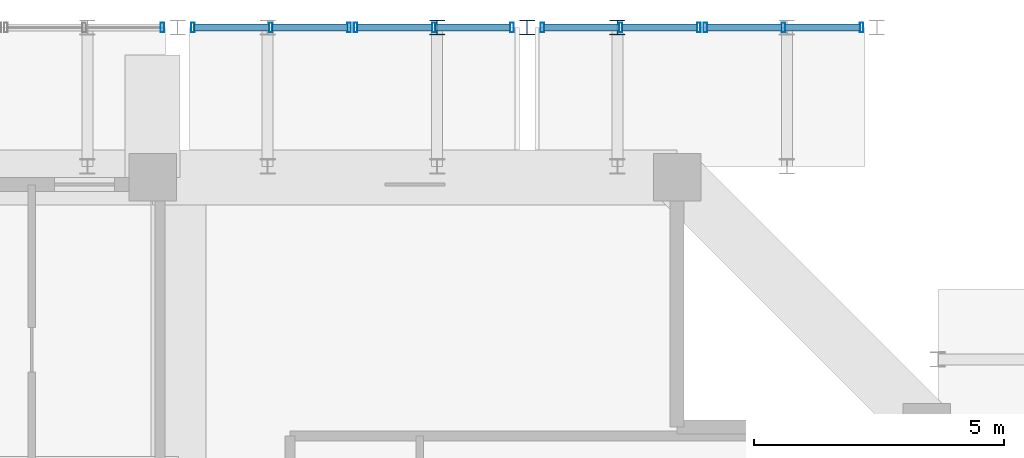
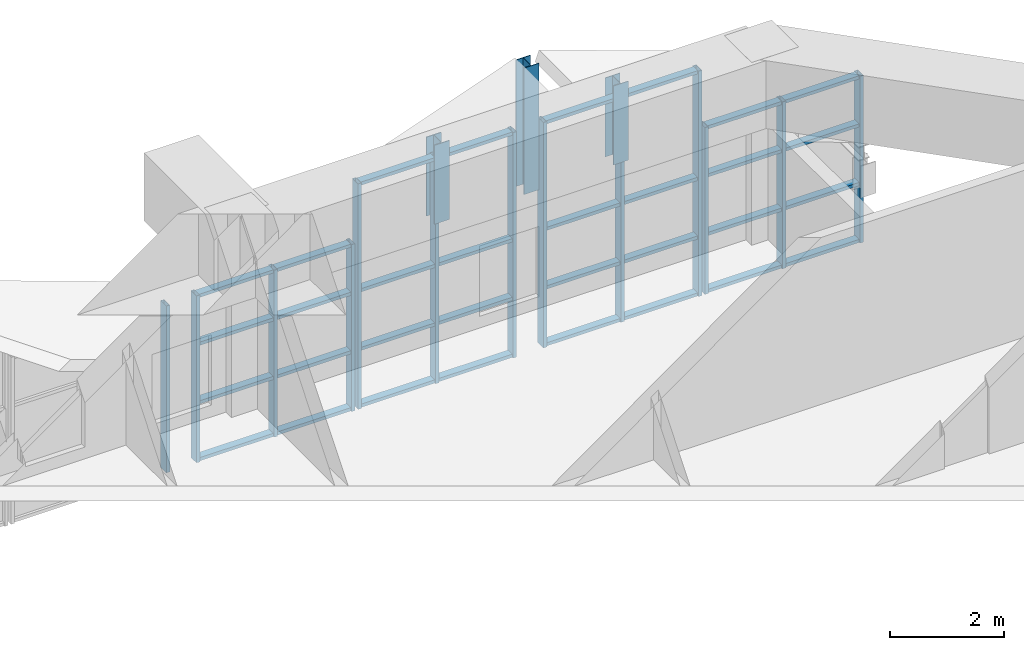
# One storey, part 27 of 45: 48 members, 5 elements without a shape of their own.
"""IFC4 building model written with IfcOpenShell, lengths in metres."""

from ifc_helpers import new_model, si_unit, direction, frame, origin, origin_2d, place, context, subcontext, project, spatial, hollow_rectangle, i_section, extrude, source, transform, mapped, material, layer, layer_set, material_profile, profile_set, type_object, element, aggregate, save


model = new_model("IFC4")

# Units and contexts
model_context = context("Model", 3, precision=1e-05, world=origin(), true_north=direction((0.0, 1.0)))
body_context = subcontext(model_context, "Body", "Model", "MODEL_VIEW")
ifc_project = project(units=[si_unit("LENGTHUNIT", "METRE"), si_unit("AREAUNIT", "SQUARE_METRE"), si_unit("VOLUMEUNIT", "CUBIC_METRE"), si_unit("PLANEANGLEUNIT", "RADIAN"), si_unit("MASSUNIT", "GRAM", prefix="KILO")], contexts=[model_context])

# Site, building, storey
site_placement = place(None, origin())
site = spatial("IfcSite", under=ifc_project, at=site_placement, CompositionType="ELEMENT")
building_placement = place(site_placement, origin())
building = spatial("IfcBuilding", under=site, at=building_placement, Name="Saelheon Loggia Tower", CompositionType="ELEMENT")
storey_placement = place(building_placement, frame((0.0, 0.0, 152.199951171875)))
storey = spatial("IfcBuildingStorey", under=building, at=storey_placement, Name="L48", CompositionType="ELEMENT", Elevation=152.199951171875)

# Members
ifc_material_1 = material(Name="Steel SM355", Category="steel")
ifc_material_profile_1 = material_profile(ifc_material_1, i_section(OverallWidth=0.300048828125, OverallDepth=0.300048828125, WebThickness=0.010009765625, FlangeThickness=0.014892578125, at=origin_2d()), Name="H-300x300x10x15")
ifc_profile_set_1 = profile_set([ifc_material_profile_1], Name="Steel SM355")
member_type_1 = type_object("IfcMemberType", Name="WaveCrest_Post_H300", PredefinedType="POST", material=ifc_profile_set_1)
shared_shape_1 = source(origin(), body_context, "Body", "SweptSolid", [
    extrude(i_section(OverallWidth=0.300048828125, OverallDepth=0.300048828125, WebThickness=0.010009765625, FlangeThickness=0.014892578125, at=origin_2d()), origin(), (0.0, 0.0, 1.0), 2.699951171875),
])
member_1_placement = place(storey_placement, frame((52.0, 51.0, 0.0), z_axis=(0.0, 0.0, 1.0), x_axis=(1.0, 0.0, 0.0)))
element("IfcMember", 1, at=member_1_placement, inside=storey, type_object=member_type_1, Name="Tier 1 Wave Crest Upper Post N 05", PredefinedType="POST", context=body_context, shape_type="MappedRepresentation", body=[
    mapped(shared_shape_1, transform((0.0, 0.0, 0.0), scale=1.0)),
])
shared_shape_2 = source(origin(), body_context, "Body", "SweptSolid", [
    extrude(i_section(OverallWidth=0.300048828125, OverallDepth=0.300048828125, WebThickness=0.010009765625, FlangeThickness=0.014892578125, at=origin_2d()), origin(), (0.0, 0.0, 1.0), 1.68701171875),
])
for number, where, z_axis, x_axis, name in (
    (2, (50.1953125, 51.0, 0.0), (0.0, 0.0, 1.0), (1.0, 0.0, 0.0), "Tier 1 Rafter Outer Upper Post N 05"),
    (3, (53.8046875, 51.0, 0.0), (0.0, 0.0, 1.0), (1.0, 0.0, 0.0), "Tier 1 Rafter Outer Upper Post N 06"),
):
    element("IfcMember", number, at=place(storey_placement, frame(where, z_axis=z_axis, x_axis=x_axis)), inside=storey, type_object=member_type_1, Name=name, PredefinedType="POST", context=body_context, shape_type="MappedRepresentation", body=[
        mapped(shared_shape_2, transform((0.0, 0.0, 0.0), scale=1.0)),
    ])

# Curtain wall, member
ifc_material_2 = material(Name="Bronze-Anodised Aluminium and Fritted Ceramic Screen", Category="aluminium")
ifc_layer = layer(ifc_material_2, 0.219970703125)
ifc_layer_set = layer_set([ifc_layer], Name="Bronze-Anodised Aluminium and Fritted Ceramic Screen")
curtain_wall_type = type_object("IfcCurtainWallType", Name="CW_CrownScreen", PredefinedType="NOTDEFINED", material=ifc_layer_set)
curtain_wall_1_placement = place(storey_placement, origin())
curtain_wall_1 = element("IfcCurtainWall", 4, at=curtain_wall_1_placement, inside=storey, type_object=curtain_wall_type, Name="Tier 1 Wave Crest Glazing N 04-2", PredefinedType="NOTDEFINED")
ifc_material_3 = material(Name="Bronze-Anodised Aluminium 6063-T6", Category="aluminium")
ifc_material_profile_2 = material_profile(ifc_material_3, hollow_rectangle(XDim=0.070068359375, YDim=0.199951171875, WallThickness=0.0048828125, at=origin_2d()), Name="RHS-200x70x5")
ifc_profile_set_2 = profile_set([ifc_material_profile_2], Name="Bronze-Anodised Aluminium 6063-T6")
member_type_2 = type_object("IfcMemberType", Name="CW_CrownScreen_Mullion", PredefinedType="MULLION", material=ifc_profile_set_2)
shared_shape_3 = source(origin(), body_context, "Body", "SweptSolid", [
    extrude(hollow_rectangle(XDim=0.070068359375, YDim=0.199951171875, WallThickness=0.0048828125, at=origin_2d()), origin(), (0.0, 0.0, 1.0), 3.56005859375),
])
member_2_placement = place(storey_placement, frame((44.695068359375, 51.0, -3.449951171875), z_axis=(0.0, 0.0, 1.0), x_axis=(1.0, 0.0, 0.0)))
member_2 = element("IfcMember", 5, at=member_2_placement, type_object=member_type_2, Name="CW6 mullion 3", PredefinedType="MULLION", context=body_context, shape_type="MappedRepresentation", body=[
    mapped(shared_shape_3, transform((0.0, 0.0, 0.0), scale=1.0)),
])
aggregate(curtain_wall_1, [member_2])

# Curtain wall, members
curtain_wall_2_placement = place(storey_placement, origin())
curtain_wall_2 = element("IfcCurtainWall", 6, at=curtain_wall_2_placement, inside=storey, type_object=curtain_wall_type, Name="Tier 1 Wave Crest Glazing N 05-1", PredefinedType="NOTDEFINED")
member_3_placement = place(storey_placement, frame((45.304931640625, 51.0, -3.449951171875), z_axis=(0.0, 0.0, 1.0), x_axis=(1.0, 0.0, 0.0)))
member_3 = element("IfcMember", 7, at=member_3_placement, type_object=member_type_2, Name="CW6 mullion 1", PredefinedType="MULLION", context=body_context, shape_type="MappedRepresentation", body=[
    mapped(shared_shape_3, transform((0.0, 0.0, 0.0), scale=1.0)),
])
member_4_placement = place(storey_placement, frame((46.8701171875, 51.0, -3.449951171875), z_axis=(0.0, 0.0, 1.0), x_axis=(1.0, 0.0, 0.0)))
member_4 = element("IfcMember", 8, at=member_4_placement, type_object=member_type_2, Name="CW6 mullion 2", PredefinedType="MULLION", context=body_context, shape_type="MappedRepresentation", body=[
    mapped(shared_shape_3, transform((0.0, 0.0, 0.0), scale=1.0)),
])
member_5_placement = place(storey_placement, frame((48.43505859375, 51.0, -3.449951171875), z_axis=(0.0, 0.0, 1.0), x_axis=(1.0, 0.0, 0.0)))
member_5 = element("IfcMember", 9, at=member_5_placement, type_object=member_type_2, Name="CW6 mullion 3", PredefinedType="MULLION", context=body_context, shape_type="MappedRepresentation", body=[
    mapped(shared_shape_3, transform((0.0, 0.0, 0.0), scale=1.0)),
])

curtain_wall_3_placement = place(storey_placement, origin())
curtain_wall_3 = element("IfcCurtainWall", 10, at=curtain_wall_3_placement, inside=storey, type_object=curtain_wall_type, Name="Tier 1 Wave Crest Glazing N 06-2", PredefinedType="NOTDEFINED")
member_6_placement = place(storey_placement, frame((55.56494140625, 51.0, -3.449951171875), z_axis=(0.0, 0.0, 1.0), x_axis=(1.0, 0.0, 0.0)))
member_6 = element("IfcMember", 11, at=member_6_placement, type_object=member_type_2, Name="CW6 mullion 1", PredefinedType="MULLION", context=body_context, shape_type="MappedRepresentation", body=[
    mapped(shared_shape_3, transform((0.0, 0.0, 0.0), scale=1.0)),
])
member_7_placement = place(storey_placement, frame((57.1298828125, 51.0, -3.449951171875), z_axis=(0.0, 0.0, 1.0), x_axis=(1.0, 0.0, 0.0)))
member_7 = element("IfcMember", 12, at=member_7_placement, type_object=member_type_2, Name="CW6 mullion 2", PredefinedType="MULLION", context=body_context, shape_type="MappedRepresentation", body=[
    mapped(shared_shape_3, transform((0.0, 0.0, 0.0), scale=1.0)),
])
member_8_placement = place(storey_placement, frame((58.695068359375, 51.0, -3.449951171875), z_axis=(0.0, 0.0, 1.0), x_axis=(1.0, 0.0, 0.0)))
member_8 = element("IfcMember", 13, at=member_8_placement, type_object=member_type_2, Name="CW6 mullion 3", PredefinedType="MULLION", context=body_context, shape_type="MappedRepresentation", body=[
    mapped(shared_shape_3, transform((0.0, 0.0, 0.0), scale=1.0)),
])

curtain_wall_4_placement = place(storey_placement, origin())
curtain_wall_4 = element("IfcCurtainWall", 14, at=curtain_wall_4_placement, inside=storey, type_object=curtain_wall_type, Name="Tier 1 Wave Crest Glazing N 05-2", PredefinedType="NOTDEFINED")
shared_shape_4 = source(origin(), body_context, "Body", "SweptSolid", [
    extrude(hollow_rectangle(XDim=0.070068359375, YDim=0.199951171875, WallThickness=0.0048828125, at=origin_2d()), origin(), (0.0, 0.0, 1.0), 4.81005859375),
])
member_9_placement = place(storey_placement, frame((48.56494140625, 51.0, -3.449951171875), z_axis=(0.0, 0.0, 1.0), x_axis=(1.0, 0.0, 0.0)))
member_9 = element("IfcMember", 15, at=member_9_placement, type_object=member_type_2, Name="CW6 mullion 1", PredefinedType="MULLION", context=body_context, shape_type="MappedRepresentation", body=[
    mapped(shared_shape_4, transform((0.0, 0.0, 0.0), scale=1.0)),
])
member_10_placement = place(storey_placement, frame((50.1298828125, 51.0, -3.449951171875), z_axis=(0.0, 0.0, 1.0), x_axis=(1.0, 0.0, 0.0)))
member_10 = element("IfcMember", 16, at=member_10_placement, type_object=member_type_2, Name="CW6 mullion 2", PredefinedType="MULLION", context=body_context, shape_type="MappedRepresentation", body=[
    mapped(shared_shape_4, transform((0.0, 0.0, 0.0), scale=1.0)),
])
member_11_placement = place(storey_placement, frame((51.695068359375, 51.0, -3.449951171875), z_axis=(0.0, 0.0, 1.0), x_axis=(1.0, 0.0, 0.0)))
member_11 = element("IfcMember", 17, at=member_11_placement, type_object=member_type_2, Name="CW6 mullion 3", PredefinedType="MULLION", context=body_context, shape_type="MappedRepresentation", body=[
    mapped(shared_shape_4, transform((0.0, 0.0, 0.0), scale=1.0)),
])

curtain_wall_5_placement = place(storey_placement, origin())
curtain_wall_5 = element("IfcCurtainWall", 18, at=curtain_wall_5_placement, inside=storey, type_object=curtain_wall_type, Name="Tier 1 Wave Crest Glazing N 06-1", PredefinedType="NOTDEFINED")
member_12_placement = place(storey_placement, frame((52.304931640625, 51.0, -3.449951171875), z_axis=(0.0, 0.0, 1.0), x_axis=(1.0, 0.0, 0.0)))
member_12 = element("IfcMember", 19, at=member_12_placement, type_object=member_type_2, Name="CW6 mullion 1", PredefinedType="MULLION", context=body_context, shape_type="MappedRepresentation", body=[
    mapped(shared_shape_4, transform((0.0, 0.0, 0.0), scale=1.0)),
])
member_13_placement = place(storey_placement, frame((53.8701171875, 51.0, -3.449951171875), z_axis=(0.0, 0.0, 1.0), x_axis=(1.0, 0.0, 0.0)))
member_13 = element("IfcMember", 20, at=member_13_placement, type_object=member_type_2, Name="CW6 mullion 2", PredefinedType="MULLION", context=body_context, shape_type="MappedRepresentation", body=[
    mapped(shared_shape_4, transform((0.0, 0.0, 0.0), scale=1.0)),
])
member_14_placement = place(storey_placement, frame((55.43505859375, 51.0, -3.449951171875), z_axis=(0.0, 0.0, 1.0), x_axis=(1.0, 0.0, 0.0)))
member_14 = element("IfcMember", 21, at=member_14_placement, type_object=member_type_2, Name="CW6 mullion 3", PredefinedType="MULLION", context=body_context, shape_type="MappedRepresentation", body=[
    mapped(shared_shape_4, transform((0.0, 0.0, 0.0), scale=1.0)),
])

# Member
ifc_material_profile_3 = material_profile(ifc_material_3, hollow_rectangle(XDim=0.070068359375, YDim=0.14990234375, WallThickness=0.0048828125, at=origin_2d()), Name="RHS-150x70x5")
ifc_profile_set_3 = profile_set([ifc_material_profile_3], Name="Bronze-Anodised Aluminium 6063-T6")
member_type_3 = type_object("IfcMemberType", Name="CW_CrownScreen_Transom", PredefinedType="USERDEFINED", material=ifc_profile_set_3)
shared_shape_5 = source(origin(), body_context, "Body", "SweptSolid", [
    extrude(hollow_rectangle(XDim=0.070068359375, YDim=0.14990234375, WallThickness=0.0048828125, at=origin_2d()), origin(), (0.0, 0.0, 1.0), 1.494873046875),
])
member_15_placement = place(storey_placement, frame((45.340087890625, 51.0, -3.4150390625), z_axis=(1.0, 0.0, 0.0), x_axis=(0.0, 0.0, 1.0)))
member_15 = element("IfcMember", 22, at=member_15_placement, type_object=member_type_3, Name="CW6 transom 1.1", ObjectType="TRANSOM", PredefinedType="USERDEFINED", context=body_context, shape_type="MappedRepresentation", body=[
    mapped(shared_shape_5, transform((0.0, 0.0, 0.0), scale=1.0)),
])

member_16_placement = place(storey_placement, frame((45.340087890625, 51.0, -2.199951171875), z_axis=(1.0, 0.0, 0.0), x_axis=(0.0, 0.0, 1.0)))
member_16 = element("IfcMember", 23, at=member_16_placement, type_object=member_type_3, Name="CW6 transom 1.2", ObjectType="TRANSOM", PredefinedType="USERDEFINED", context=body_context, shape_type="MappedRepresentation", body=[
    mapped(shared_shape_5, transform((0.0, 0.0, 0.0), scale=1.0)),
])

member_17_placement = place(storey_placement, frame((45.340087890625, 51.0, -0.949951171875), z_axis=(1.0, 0.0, 0.0), x_axis=(0.0, 0.0, 1.0)))
member_17 = element("IfcMember", 24, at=member_17_placement, type_object=member_type_3, Name="CW6 transom 1.3", ObjectType="TRANSOM", PredefinedType="USERDEFINED", context=body_context, shape_type="MappedRepresentation", body=[
    mapped(shared_shape_5, transform((0.0, 0.0, 0.0), scale=1.0)),
])

member_18_placement = place(storey_placement, frame((45.340087890625, 51.0, 0.074951171875), z_axis=(1.0, 0.0, 0.0), x_axis=(0.0, 0.0, 1.0)))
member_18 = element("IfcMember", 25, at=member_18_placement, type_object=member_type_3, Name="CW6 transom 1.4", ObjectType="TRANSOM", PredefinedType="USERDEFINED", context=body_context, shape_type="MappedRepresentation", body=[
    mapped(shared_shape_5, transform((0.0, 0.0, 0.0), scale=1.0)),
])

member_19_placement = place(storey_placement, frame((46.905029296875, 51.0, -3.4150390625), z_axis=(1.0, 0.0, 0.0), x_axis=(0.0, 0.0, 1.0)))
member_19 = element("IfcMember", 26, at=member_19_placement, type_object=member_type_3, Name="CW6 transom 2.1", ObjectType="TRANSOM", PredefinedType="USERDEFINED", context=body_context, shape_type="MappedRepresentation", body=[
    mapped(shared_shape_5, transform((0.0, 0.0, 0.0), scale=1.0)),
])

member_20_placement = place(storey_placement, frame((46.905029296875, 51.0, -2.199951171875), z_axis=(1.0, 0.0, 0.0), x_axis=(0.0, 0.0, 1.0)))
member_20 = element("IfcMember", 27, at=member_20_placement, type_object=member_type_3, Name="CW6 transom 2.2", ObjectType="TRANSOM", PredefinedType="USERDEFINED", context=body_context, shape_type="MappedRepresentation", body=[
    mapped(shared_shape_5, transform((0.0, 0.0, 0.0), scale=1.0)),
])

member_21_placement = place(storey_placement, frame((46.905029296875, 51.0, -0.949951171875), z_axis=(1.0, 0.0, 0.0), x_axis=(0.0, 0.0, 1.0)))
member_21 = element("IfcMember", 28, at=member_21_placement, type_object=member_type_3, Name="CW6 transom 2.3", ObjectType="TRANSOM", PredefinedType="USERDEFINED", context=body_context, shape_type="MappedRepresentation", body=[
    mapped(shared_shape_5, transform((0.0, 0.0, 0.0), scale=1.0)),
])

member_22_placement = place(storey_placement, frame((46.905029296875, 51.0, 0.074951171875), z_axis=(1.0, 0.0, 0.0), x_axis=(0.0, 0.0, 1.0)))
member_22 = element("IfcMember", 29, at=member_22_placement, type_object=member_type_3, Name="CW6 transom 2.4", ObjectType="TRANSOM", PredefinedType="USERDEFINED", context=body_context, shape_type="MappedRepresentation", body=[
    mapped(shared_shape_5, transform((0.0, 0.0, 0.0), scale=1.0)),
])

aggregate(curtain_wall_2, [member_3, member_4, member_5, member_15, member_16, member_17, member_18, member_19, member_20, member_21, member_22])

member_23_placement = place(storey_placement, frame((48.60009765625, 51.0, -3.4150390625), z_axis=(1.0, 0.0, 0.0), x_axis=(0.0, 0.0, 1.0)))
member_23 = element("IfcMember", 30, at=member_23_placement, type_object=member_type_3, Name="CW6 transom 1.1", ObjectType="TRANSOM", PredefinedType="USERDEFINED", context=body_context, shape_type="MappedRepresentation", body=[
    mapped(shared_shape_5, transform((0.0, 0.0, 0.0), scale=1.0)),
])

member_24_placement = place(storey_placement, frame((48.60009765625, 51.0, -2.199951171875), z_axis=(1.0, 0.0, 0.0), x_axis=(0.0, 0.0, 1.0)))
member_24 = element("IfcMember", 31, at=member_24_placement, type_object=member_type_3, Name="CW6 transom 1.2", ObjectType="TRANSOM", PredefinedType="USERDEFINED", context=body_context, shape_type="MappedRepresentation", body=[
    mapped(shared_shape_5, transform((0.0, 0.0, 0.0), scale=1.0)),
])

member_25_placement = place(storey_placement, frame((48.60009765625, 51.0, -0.949951171875), z_axis=(1.0, 0.0, 0.0), x_axis=(0.0, 0.0, 1.0)))
member_25 = element("IfcMember", 32, at=member_25_placement, type_object=member_type_3, Name="CW6 transom 1.3", ObjectType="TRANSOM", PredefinedType="USERDEFINED", context=body_context, shape_type="MappedRepresentation", body=[
    mapped(shared_shape_5, transform((0.0, 0.0, 0.0), scale=1.0)),
])

member_26_placement = place(storey_placement, frame((48.60009765625, 51.0, 1.324951171875), z_axis=(1.0, 0.0, 0.0), x_axis=(0.0, 0.0, 1.0)))
member_26 = element("IfcMember", 33, at=member_26_placement, type_object=member_type_3, Name="CW6 transom 1.4", ObjectType="TRANSOM", PredefinedType="USERDEFINED", context=body_context, shape_type="MappedRepresentation", body=[
    mapped(shared_shape_5, transform((0.0, 0.0, 0.0), scale=1.0)),
])

member_27_placement = place(storey_placement, frame((50.1650390625, 51.0, -3.4150390625), z_axis=(1.0, 0.0, 0.0), x_axis=(0.0, 0.0, 1.0)))
member_27 = element("IfcMember", 34, at=member_27_placement, type_object=member_type_3, Name="CW6 transom 2.1", ObjectType="TRANSOM", PredefinedType="USERDEFINED", context=body_context, shape_type="MappedRepresentation", body=[
    mapped(shared_shape_5, transform((0.0, 0.0, 0.0), scale=1.0)),
])

member_28_placement = place(storey_placement, frame((50.1650390625, 51.0, -2.199951171875), z_axis=(1.0, 0.0, 0.0), x_axis=(0.0, 0.0, 1.0)))
member_28 = element("IfcMember", 35, at=member_28_placement, type_object=member_type_3, Name="CW6 transom 2.2", ObjectType="TRANSOM", PredefinedType="USERDEFINED", context=body_context, shape_type="MappedRepresentation", body=[
    mapped(shared_shape_5, transform((0.0, 0.0, 0.0), scale=1.0)),
])

member_29_placement = place(storey_placement, frame((50.1650390625, 51.0, -0.949951171875), z_axis=(1.0, 0.0, 0.0), x_axis=(0.0, 0.0, 1.0)))
member_29 = element("IfcMember", 36, at=member_29_placement, type_object=member_type_3, Name="CW6 transom 2.3", ObjectType="TRANSOM", PredefinedType="USERDEFINED", context=body_context, shape_type="MappedRepresentation", body=[
    mapped(shared_shape_5, transform((0.0, 0.0, 0.0), scale=1.0)),
])

member_30_placement = place(storey_placement, frame((50.1650390625, 51.0, 1.324951171875), z_axis=(1.0, 0.0, 0.0), x_axis=(0.0, 0.0, 1.0)))
member_30 = element("IfcMember", 37, at=member_30_placement, type_object=member_type_3, Name="CW6 transom 2.4", ObjectType="TRANSOM", PredefinedType="USERDEFINED", context=body_context, shape_type="MappedRepresentation", body=[
    mapped(shared_shape_5, transform((0.0, 0.0, 0.0), scale=1.0)),
])

aggregate(curtain_wall_4, [member_9, member_10, member_11, member_23, member_24, member_25, member_26, member_27, member_28, member_29, member_30])

member_31_placement = place(storey_placement, frame((52.340087890625, 51.0, -3.4150390625), z_axis=(1.0, 0.0, 0.0), x_axis=(0.0, 0.0, 1.0)))
member_31 = element("IfcMember", 38, at=member_31_placement, type_object=member_type_3, Name="CW6 transom 1.1", ObjectType="TRANSOM", PredefinedType="USERDEFINED", context=body_context, shape_type="MappedRepresentation", body=[
    mapped(shared_shape_5, transform((0.0, 0.0, 0.0), scale=1.0)),
])

member_32_placement = place(storey_placement, frame((52.340087890625, 51.0, -2.199951171875), z_axis=(1.0, 0.0, 0.0), x_axis=(0.0, 0.0, 1.0)))
member_32 = element("IfcMember", 39, at=member_32_placement, type_object=member_type_3, Name="CW6 transom 1.2", ObjectType="TRANSOM", PredefinedType="USERDEFINED", context=body_context, shape_type="MappedRepresentation", body=[
    mapped(shared_shape_5, transform((0.0, 0.0, 0.0), scale=1.0)),
])

member_33_placement = place(storey_placement, frame((52.340087890625, 51.0, -0.949951171875), z_axis=(1.0, 0.0, 0.0), x_axis=(0.0, 0.0, 1.0)))
member_33 = element("IfcMember", 40, at=member_33_placement, type_object=member_type_3, Name="CW6 transom 1.3", ObjectType="TRANSOM", PredefinedType="USERDEFINED", context=body_context, shape_type="MappedRepresentation", body=[
    mapped(shared_shape_5, transform((0.0, 0.0, 0.0), scale=1.0)),
])

member_34_placement = place(storey_placement, frame((52.340087890625, 51.0, 1.324951171875), z_axis=(1.0, 0.0, 0.0), x_axis=(0.0, 0.0, 1.0)))
member_34 = element("IfcMember", 41, at=member_34_placement, type_object=member_type_3, Name="CW6 transom 1.4", ObjectType="TRANSOM", PredefinedType="USERDEFINED", context=body_context, shape_type="MappedRepresentation", body=[
    mapped(shared_shape_5, transform((0.0, 0.0, 0.0), scale=1.0)),
])

member_35_placement = place(storey_placement, frame((53.905029296875, 51.0, -3.4150390625), z_axis=(1.0, 0.0, 0.0), x_axis=(0.0, 0.0, 1.0)))
member_35 = element("IfcMember", 42, at=member_35_placement, type_object=member_type_3, Name="CW6 transom 2.1", ObjectType="TRANSOM", PredefinedType="USERDEFINED", context=body_context, shape_type="MappedRepresentation", body=[
    mapped(shared_shape_5, transform((0.0, 0.0, 0.0), scale=1.0)),
])

member_36_placement = place(storey_placement, frame((53.905029296875, 51.0, -2.199951171875), z_axis=(1.0, 0.0, 0.0), x_axis=(0.0, 0.0, 1.0)))
member_36 = element("IfcMember", 43, at=member_36_placement, type_object=member_type_3, Name="CW6 transom 2.2", ObjectType="TRANSOM", PredefinedType="USERDEFINED", context=body_context, shape_type="MappedRepresentation", body=[
    mapped(shared_shape_5, transform((0.0, 0.0, 0.0), scale=1.0)),
])

member_37_placement = place(storey_placement, frame((53.905029296875, 51.0, -0.949951171875), z_axis=(1.0, 0.0, 0.0), x_axis=(0.0, 0.0, 1.0)))
member_37 = element("IfcMember", 44, at=member_37_placement, type_object=member_type_3, Name="CW6 transom 2.3", ObjectType="TRANSOM", PredefinedType="USERDEFINED", context=body_context, shape_type="MappedRepresentation", body=[
    mapped(shared_shape_5, transform((0.0, 0.0, 0.0), scale=1.0)),
])

member_38_placement = place(storey_placement, frame((53.905029296875, 51.0, 1.324951171875), z_axis=(1.0, 0.0, 0.0), x_axis=(0.0, 0.0, 1.0)))
member_38 = element("IfcMember", 45, at=member_38_placement, type_object=member_type_3, Name="CW6 transom 2.4", ObjectType="TRANSOM", PredefinedType="USERDEFINED", context=body_context, shape_type="MappedRepresentation", body=[
    mapped(shared_shape_5, transform((0.0, 0.0, 0.0), scale=1.0)),
])

aggregate(curtain_wall_5, [member_12, member_13, member_14, member_31, member_32, member_33, member_34, member_35, member_36, member_37, member_38])

member_39_placement = place(storey_placement, frame((55.60009765625, 51.0, -3.4150390625), z_axis=(1.0, 0.0, 0.0), x_axis=(0.0, 0.0, 1.0)))
member_39 = element("IfcMember", 46, at=member_39_placement, type_object=member_type_3, Name="CW6 transom 1.1", ObjectType="TRANSOM", PredefinedType="USERDEFINED", context=body_context, shape_type="MappedRepresentation", body=[
    mapped(shared_shape_5, transform((0.0, 0.0, 0.0), scale=1.0)),
])

member_40_placement = place(storey_placement, frame((55.60009765625, 51.0, -2.199951171875), z_axis=(1.0, 0.0, 0.0), x_axis=(0.0, 0.0, 1.0)))
member_40 = element("IfcMember", 47, at=member_40_placement, type_object=member_type_3, Name="CW6 transom 1.2", ObjectType="TRANSOM", PredefinedType="USERDEFINED", context=body_context, shape_type="MappedRepresentation", body=[
    mapped(shared_shape_5, transform((0.0, 0.0, 0.0), scale=1.0)),
])

member_41_placement = place(storey_placement, frame((55.60009765625, 51.0, -0.949951171875), z_axis=(1.0, 0.0, 0.0), x_axis=(0.0, 0.0, 1.0)))
member_41 = element("IfcMember", 48, at=member_41_placement, type_object=member_type_3, Name="CW6 transom 1.3", ObjectType="TRANSOM", PredefinedType="USERDEFINED", context=body_context, shape_type="MappedRepresentation", body=[
    mapped(shared_shape_5, transform((0.0, 0.0, 0.0), scale=1.0)),
])

member_42_placement = place(storey_placement, frame((55.60009765625, 51.0, 0.074951171875), z_axis=(1.0, 0.0, 0.0), x_axis=(0.0, 0.0, 1.0)))
member_42 = element("IfcMember", 49, at=member_42_placement, type_object=member_type_3, Name="CW6 transom 1.4", ObjectType="TRANSOM", PredefinedType="USERDEFINED", context=body_context, shape_type="MappedRepresentation", body=[
    mapped(shared_shape_5, transform((0.0, 0.0, 0.0), scale=1.0)),
])

member_43_placement = place(storey_placement, frame((57.1650390625, 51.0, -3.4150390625), z_axis=(1.0, 0.0, 0.0), x_axis=(0.0, 0.0, 1.0)))
member_43 = element("IfcMember", 50, at=member_43_placement, type_object=member_type_3, Name="CW6 transom 2.1", ObjectType="TRANSOM", PredefinedType="USERDEFINED", context=body_context, shape_type="MappedRepresentation", body=[
    mapped(shared_shape_5, transform((0.0, 0.0, 0.0), scale=1.0)),
])

member_44_placement = place(storey_placement, frame((57.1650390625, 51.0, -2.199951171875), z_axis=(1.0, 0.0, 0.0), x_axis=(0.0, 0.0, 1.0)))
member_44 = element("IfcMember", 51, at=member_44_placement, type_object=member_type_3, Name="CW6 transom 2.2", ObjectType="TRANSOM", PredefinedType="USERDEFINED", context=body_context, shape_type="MappedRepresentation", body=[
    mapped(shared_shape_5, transform((0.0, 0.0, 0.0), scale=1.0)),
])

member_45_placement = place(storey_placement, frame((57.1650390625, 51.0, -0.949951171875), z_axis=(1.0, 0.0, 0.0), x_axis=(0.0, 0.0, 1.0)))
member_45 = element("IfcMember", 52, at=member_45_placement, type_object=member_type_3, Name="CW6 transom 2.3", ObjectType="TRANSOM", PredefinedType="USERDEFINED", context=body_context, shape_type="MappedRepresentation", body=[
    mapped(shared_shape_5, transform((0.0, 0.0, 0.0), scale=1.0)),
])

member_46_placement = place(storey_placement, frame((57.1650390625, 51.0, 0.074951171875), z_axis=(1.0, 0.0, 0.0), x_axis=(0.0, 0.0, 1.0)))
member_46 = element("IfcMember", 53, at=member_46_placement, type_object=member_type_3, Name="CW6 transom 2.4", ObjectType="TRANSOM", PredefinedType="USERDEFINED", context=body_context, shape_type="MappedRepresentation", body=[
    mapped(shared_shape_5, transform((0.0, 0.0, 0.0), scale=1.0)),
])

aggregate(curtain_wall_3, [member_6, member_7, member_8, member_39, member_40, member_41, member_42, member_43, member_44, member_45, member_46])

save(model, "model.ifc")
